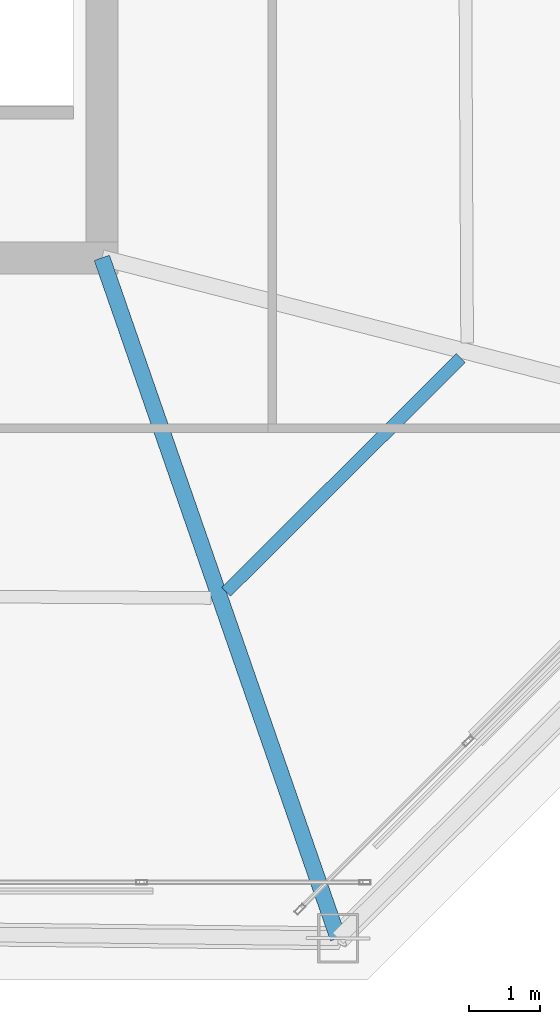
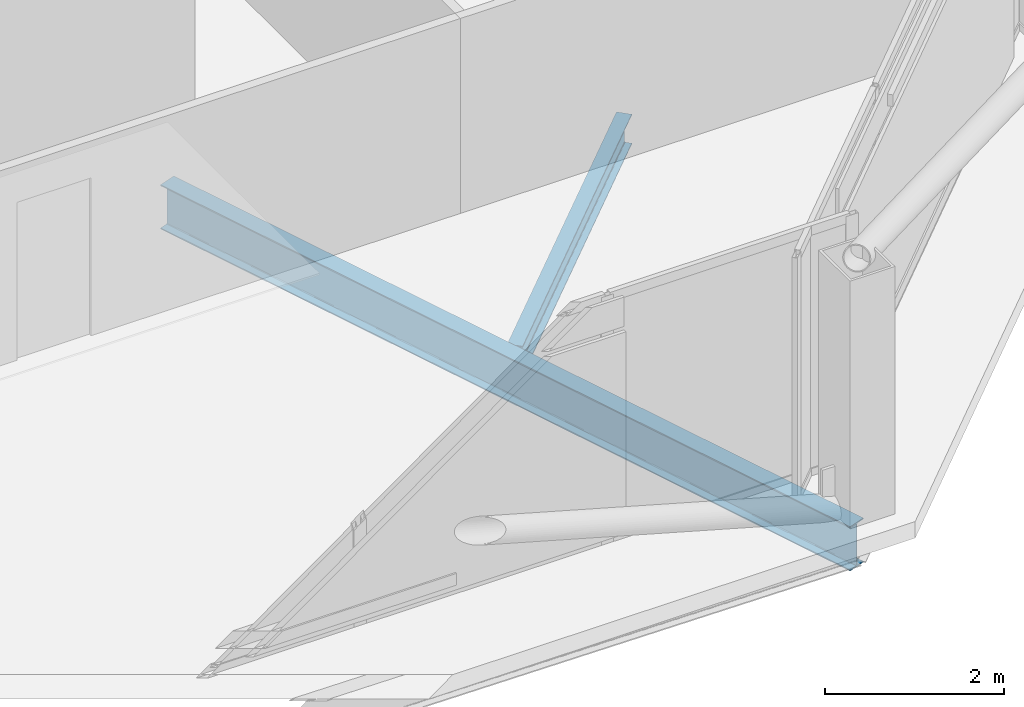
# One storey, part 9 of 26: 2 beams.
"""IFC4 building model written with IfcOpenShell, lengths in metres."""

from ifc_helpers import new_model, si_unit, direction, frame, origin, origin_2d, place, context, subcontext, project, spatial, i_section, extrude, material, material_profile, profile_set, type_object, element, save


model = new_model("IFC4")

# Units and contexts
model_context = context("Model", 3, precision=1e-05, world=origin(), true_north=direction((0.0, 1.0)))
body_context = subcontext(model_context, "Body", "Model", "MODEL_VIEW")
ifc_project = project(units=[si_unit("LENGTHUNIT", "METRE"), si_unit("AREAUNIT", "SQUARE_METRE"), si_unit("VOLUMEUNIT", "CUBIC_METRE"), si_unit("PLANEANGLEUNIT", "RADIAN"), si_unit("MASSUNIT", "GRAM", prefix="KILO")], contexts=[model_context])

# Site, building, storey
site_placement = place(None, origin())
site = spatial("IfcSite", under=ifc_project, at=site_placement, CompositionType="ELEMENT")
building_placement = place(site_placement, origin())
building = spatial("IfcBuilding", under=site, at=building_placement, Name="Caelvoria Tower", CompositionType="ELEMENT")
storey_placement = place(building_placement, frame((0.0, 0.0, 239.39990234375)))
storey = spatial("IfcBuildingStorey", under=building, at=storey_placement, Name="L63", CompositionType="ELEMENT", Elevation=239.39990234375)

# Beams
ifc_material = material(Name="Structural Steel ASTM A992 Gr.50", Category="steel")
ifc_material_profile_1 = material_profile(ifc_material, i_section(OverallWidth=0.22802734375, OverallDepth=0.60302734375, WebThickness=0.010498046875, FlangeThickness=0.014892578125, FilletRadius=0.01806640625, at=origin_2d()), Name="Structural Steel ASTM A992 Gr.50")
ifc_profile_set_1 = profile_set([ifc_material_profile_1], Name="W610X101 - Structural Steel ASTM A992 Gr.50")
beam_type_1 = type_object("IfcBeamType", Name="Primary Floor Girder W610X101", PredefinedType="BEAM", material=ifc_profile_set_1)
beam_1_placement = place(storey_placement, frame((55.0, 24.0, -0.5263671875), z_axis=(0.32801049917, -0.944674077359, 0.0), x_axis=(0.944674077359, 0.32801049917, 0.0)))
element("IfcBeam", 1, at=beam_1_placement, inside=storey, type_object=beam_type_1, Name="Primary Floor Girder L63-02", PredefinedType="BEAM", context=body_context, shape_type="SweptSolid", body=[
    extrude(i_section(OverallWidth=0.22802734375, OverallDepth=0.60302734375, WebThickness=0.010498046875, FlangeThickness=0.014892578125, FilletRadius=0.01806640625, at=origin_2d()), origin(), (0.0, 0.0, 1.0), 10.173095703125),
])
ifc_material_profile_2 = material_profile(ifc_material, i_section(OverallWidth=0.177978515625, OverallDepth=0.406982421875, WebThickness=0.0078125, FlangeThickness=0.0126953125, FilletRadius=0.013916015625, at=origin_2d()), Name="Structural Steel ASTM A992 Gr.50")
ifc_profile_set_2 = profile_set([ifc_material_profile_2], Name="W410X60 - Structural Steel ASTM A992 Gr.50")
beam_type_2 = type_object("IfcBeamType", Name="Secondary Floor Beam W410X60", PredefinedType="BEAM", material=ifc_profile_set_2)
beam_2_placement = place(storey_placement, frame((56.7568359375, 19.282958984375, -0.428466796875), z_axis=(0.708357925601, 0.705853419088, 0.0), x_axis=(-0.705853419088, 0.708357925601, 0.0)))
element("IfcBeam", 2, at=beam_2_placement, inside=storey, type_object=beam_type_2, Name="Secondary Floor Beam L63-02", PredefinedType="BEAM", context=body_context, shape_type="SweptSolid", body=[
    extrude(i_section(OverallWidth=0.177978515625, OverallDepth=0.406982421875, WebThickness=0.0078125, FlangeThickness=0.0126953125, FilletRadius=0.013916015625, at=origin_2d()), origin(), (0.0, 0.0, 1.0), 4.678955078125),
])

save(model, "model.ifc")
